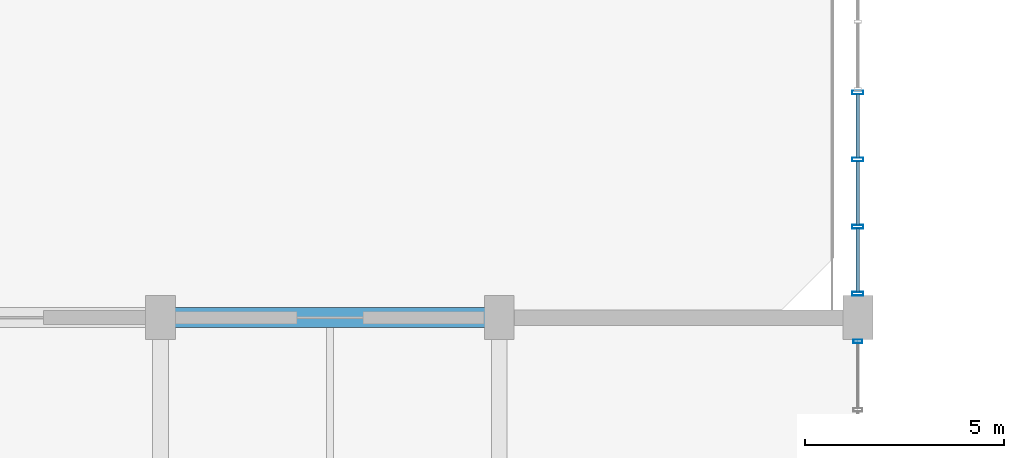
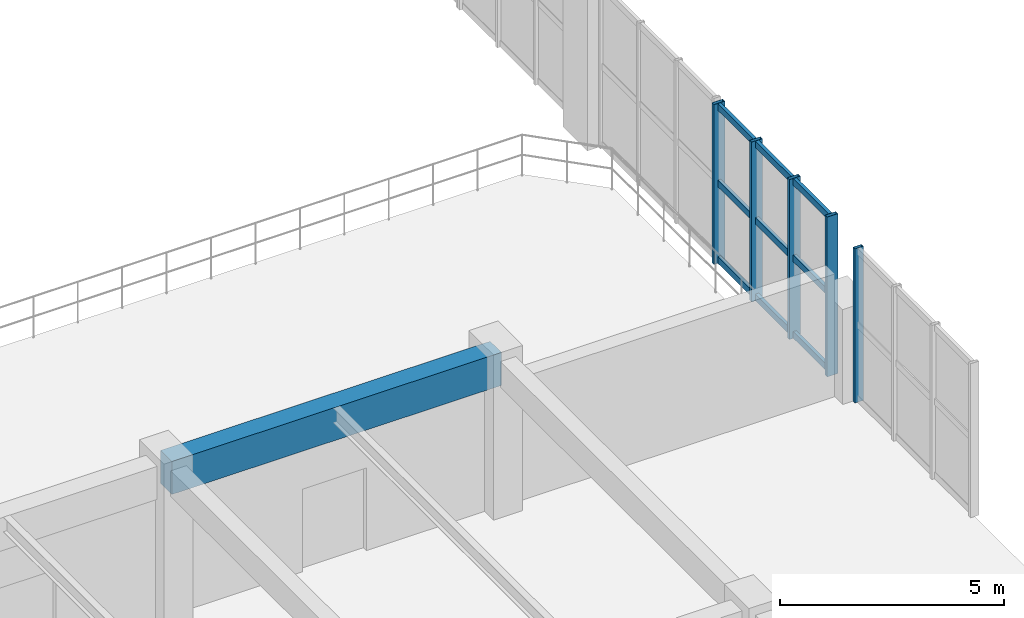
# One storey, part 33 of 80: 14 members, 1 beam, 2 elements without a shape of their own.
"""IFC4 building model written with IfcOpenShell, lengths in metres."""

from ifc_helpers import new_model, si_unit, direction, frame, origin, origin_2d, place, context, subcontext, project, spatial, rectangle, hollow_rectangle, extrude, material, layer, layer_set, material_profile, profile_set, type_object, element, aggregate, save


model = new_model("IFC4")

# Units and contexts
model_context = context("Model", 3, precision=1e-05, world=origin(), true_north=direction((0.0, 1.0)))
body_context = subcontext(model_context, "Body", "Model", "MODEL_VIEW")
ifc_project = project(units=[si_unit("LENGTHUNIT", "METRE"), si_unit("AREAUNIT", "SQUARE_METRE"), si_unit("VOLUMEUNIT", "CUBIC_METRE"), si_unit("PLANEANGLEUNIT", "RADIAN"), si_unit("MASSUNIT", "GRAM", prefix="KILO"), si_unit("POWERUNIT", "WATT"), si_unit("THERMODYNAMICTEMPERATUREUNIT", "KELVIN")], contexts=[model_context])

# Site, building, storey
site_placement = place(None, origin())
site = spatial("IfcSite", under=ifc_project, at=site_placement, CompositionType="ELEMENT")
building_placement = place(site_placement, origin())
building = spatial("IfcBuilding", under=site, at=building_placement, Name="Kelmbourne Parkland Aquatics Centre", CompositionType="ELEMENT")
storey_placement = place(building_placement, frame((0.0, 0.0, 10.199951171875)))
storey = spatial("IfcBuildingStorey", under=building, at=storey_placement, Name="L02", CompositionType="ELEMENT", Elevation=10.199951171875)

# Beam
ifc_material_1 = material(Name="Concrete C40/50", Category="concrete")
ifc_material_profile_1 = material_profile(ifc_material_1, rectangle(XDim=0.5, YDim=0.89990234375, at=origin_2d()), Name="RC 500x900")
ifc_profile_set_1 = profile_set([ifc_material_profile_1], Name="Concrete C40/50")
beam_type = type_object("IfcBeamType", Name="BM-G03", PredefinedType="BEAM", material=ifc_profile_set_1)
beam_placement = place(storey_placement, frame((110.5, 57.800048828125, 3.81005859375), z_axis=(1.0, 0.0, 0.0), x_axis=(0.0, 1.0, 0.0)))
element("IfcBeam", 1, at=beam_placement, inside=storey, type_object=beam_type, Name="Primary girder N-O Grid 08 (L03)", PredefinedType="BEAM", context=body_context, shape_type="SweptSolid", body=[
    extrude(rectangle(XDim=0.5, YDim=0.89990234375, at=origin_2d()), origin(), (0.0, 0.0, 1.0), 8.5),
])

# Curtain wall, member
ifc_material_2 = material(Name="Thermally broken anodised aluminium framing", Category="aluminium")
ifc_layer_1 = layer(ifc_material_2, 0.179931640625)
ifc_layer_set_1 = layer_set([ifc_layer_1], Name="Thermally broken anodised aluminium framing")
curtain_wall_type_1 = type_object("IfcCurtainWallType", Name="CW-20", PredefinedType="NOTDEFINED", material=ifc_layer_set_1)
curtain_wall_1_placement = place(storey_placement, origin())
curtain_wall_1 = element("IfcCurtainWall", 2, at=curtain_wall_1_placement, inside=storey, type_object=curtain_wall_type_1, Name="Facade curtain wall CW-L02-212", PredefinedType="NOTDEFINED")
ifc_material_profile_2 = material_profile(ifc_material_2, hollow_rectangle(XDim=0.0849609375, YDim=0.219970703125, WallThickness=0.0048828125, at=origin_2d()), Name="CW-M 85x220")
ifc_profile_set_2 = profile_set([ifc_material_profile_2], Name="Thermally broken anodised aluminium framing")
member_type_1 = type_object("IfcMemberType", Name="MB-MUL-3", PredefinedType="MULLION", material=ifc_profile_set_2)
member_1_placement = place(storey_placement, frame((128.0, 57.20556640625, 0.0), z_axis=(0.0, 0.0, 1.0), x_axis=(0.0, 1.0, 0.0)))
member_1 = element("IfcMember", 3, at=member_1_placement, type_object=member_type_1, Name="CW-L02-212 mullion 3", PredefinedType="MULLION", context=body_context, shape_type="SweptSolid", body=[
    extrude(hollow_rectangle(XDim=0.0849609375, YDim=0.219970703125, WallThickness=0.0048828125, at=origin_2d()), origin(), (0.0, 0.0, 1.0), 4.199951171875),
])
aggregate(curtain_wall_1, [member_1])

# Curtain wall, members
ifc_layer_2 = layer(ifc_material_2, 0.179931640625)
ifc_layer_set_2 = layer_set([ifc_layer_2], Name="Thermally broken anodised aluminium framing")
curtain_wall_type_2 = type_object("IfcCurtainWallType", Name="CW-05", PredefinedType="NOTDEFINED", material=ifc_layer_set_2)
curtain_wall_2_placement = place(storey_placement, origin())
curtain_wall_2 = element("IfcCurtainWall", 4, at=curtain_wall_2_placement, inside=storey, type_object=curtain_wall_type_2, Name="Wave-hall clerestory curtain wall CW-L02-053", PredefinedType="NOTDEFINED")
ifc_material_profile_3 = material_profile(ifc_material_2, hollow_rectangle(XDim=0.094970703125, YDim=0.280029296875, WallThickness=0.005615234375, at=origin_2d()), Name="CW-M 95x280")
ifc_profile_set_3 = profile_set([ifc_material_profile_3], Name="Thermally broken anodised aluminium framing")
member_type_2 = type_object("IfcMemberType", Name="MB-MUL-4", PredefinedType="MULLION", material=ifc_profile_set_3)
member_2_placement = place(storey_placement, frame((128.0, 58.3994140625, 0.0), z_axis=(0.0, 0.0, 1.0), x_axis=(0.0, 1.0, 0.0)))
member_2 = element("IfcMember", 5, at=member_2_placement, type_object=member_type_2, Name="CW-L02-053 mullion 0", PredefinedType="MULLION", context=body_context, shape_type="SweptSolid", body=[
    extrude(hollow_rectangle(XDim=0.094970703125, YDim=0.280029296875, WallThickness=0.005615234375, at=origin_2d()), origin(), (0.0, 0.0, 1.0), 4.3564453125),
])
member_3_placement = place(storey_placement, frame((128.0, 60.083740234375, 0.0), z_axis=(0.0, 0.0, 1.0), x_axis=(0.0, 1.0, 0.0)))
member_3 = element("IfcMember", 6, at=member_3_placement, type_object=member_type_2, Name="CW-L02-053 mullion 1", PredefinedType="MULLION", context=body_context, shape_type="SweptSolid", body=[
    extrude(hollow_rectangle(XDim=0.094970703125, YDim=0.280029296875, WallThickness=0.005615234375, at=origin_2d()), origin(), (0.0, 0.0, 1.0), 4.3564453125),
])
member_4_placement = place(storey_placement, frame((128.0, 61.768310546875, 0.0), z_axis=(0.0, 0.0, 1.0), x_axis=(0.0, 1.0, 0.0)))
member_4 = element("IfcMember", 7, at=member_4_placement, type_object=member_type_2, Name="CW-L02-053 mullion 2", PredefinedType="MULLION", context=body_context, shape_type="SweptSolid", body=[
    extrude(hollow_rectangle(XDim=0.094970703125, YDim=0.280029296875, WallThickness=0.005615234375, at=origin_2d()), origin(), (0.0, 0.0, 1.0), 4.3564453125),
])
member_5_placement = place(storey_placement, frame((128.0, 63.452392578125, 0.0), z_axis=(0.0, 0.0, 1.0), x_axis=(0.0, 1.0, 0.0)))
member_5 = element("IfcMember", 8, at=member_5_placement, type_object=member_type_2, Name="CW-L02-053 mullion 3", PredefinedType="MULLION", context=body_context, shape_type="SweptSolid", body=[
    extrude(hollow_rectangle(XDim=0.094970703125, YDim=0.280029296875, WallThickness=0.005615234375, at=origin_2d()), origin(), (0.0, 0.0, 1.0), 4.3564453125),
])
ifc_material_profile_4 = material_profile(ifc_material_2, hollow_rectangle(XDim=0.0849609375, YDim=0.179931640625, WallThickness=0.00439453125, at=origin_2d()), Name="CW-T 85x180")
ifc_profile_set_4 = profile_set([ifc_material_profile_4], Name="Thermally broken anodised aluminium framing")
member_type_3 = type_object("IfcMemberType", Name="MB-TRN-3", PredefinedType="USERDEFINED", material=ifc_profile_set_4)
member_6_placement = place(storey_placement, frame((128.0, 58.443115234375, 0.093017578125), z_axis=(0.0, 1.0, 0.0), x_axis=(-1.0, 0.0, 0.0)))
member_6 = element("IfcMember", 9, at=member_6_placement, type_object=member_type_3, Name="CW-L02-053 transom 0-0", ObjectType="TRANSOM", PredefinedType="USERDEFINED", context=body_context, shape_type="SweptSolid", body=[
    extrude(hollow_rectangle(XDim=0.0849609375, YDim=0.179931640625, WallThickness=0.00439453125, at=origin_2d()), origin(), (0.0, 0.0, 1.0), 1.59716796875),
])
member_7_placement = place(storey_placement, frame((128.0, 60.127197265625, 0.093017578125), z_axis=(0.0, 1.0, 0.0), x_axis=(-1.0, 0.0, 0.0)))
member_7 = element("IfcMember", 10, at=member_7_placement, type_object=member_type_3, Name="CW-L02-053 transom 0-1", ObjectType="TRANSOM", PredefinedType="USERDEFINED", context=body_context, shape_type="SweptSolid", body=[
    extrude(hollow_rectangle(XDim=0.0849609375, YDim=0.179931640625, WallThickness=0.00439453125, at=origin_2d()), origin(), (0.0, 0.0, 1.0), 1.597412109375),
])
member_8_placement = place(storey_placement, frame((128.0, 61.811767578125, 0.093017578125), z_axis=(0.0, 1.0, 0.0), x_axis=(-1.0, 0.0, 0.0)))
member_8 = element("IfcMember", 11, at=member_8_placement, type_object=member_type_3, Name="CW-L02-053 transom 0-2", ObjectType="TRANSOM", PredefinedType="USERDEFINED", context=body_context, shape_type="SweptSolid", body=[
    extrude(hollow_rectangle(XDim=0.0849609375, YDim=0.179931640625, WallThickness=0.00439453125, at=origin_2d()), origin(), (0.0, 0.0, 1.0), 1.59716796875),
])
member_9_placement = place(storey_placement, frame((128.0, 58.443115234375, 2.17822265625), z_axis=(0.0, 1.0, 0.0), x_axis=(-1.0, 0.0, 0.0)))
member_9 = element("IfcMember", 12, at=member_9_placement, type_object=member_type_3, Name="CW-L02-053 transom 1-0", ObjectType="TRANSOM", PredefinedType="USERDEFINED", context=body_context, shape_type="SweptSolid", body=[
    extrude(hollow_rectangle(XDim=0.0849609375, YDim=0.179931640625, WallThickness=0.00439453125, at=origin_2d()), origin(), (0.0, 0.0, 1.0), 1.59716796875),
])
member_10_placement = place(storey_placement, frame((128.0, 60.127197265625, 2.17822265625), z_axis=(0.0, 1.0, 0.0), x_axis=(-1.0, 0.0, 0.0)))
member_10 = element("IfcMember", 13, at=member_10_placement, type_object=member_type_3, Name="CW-L02-053 transom 1-1", ObjectType="TRANSOM", PredefinedType="USERDEFINED", context=body_context, shape_type="SweptSolid", body=[
    extrude(hollow_rectangle(XDim=0.0849609375, YDim=0.179931640625, WallThickness=0.00439453125, at=origin_2d()), origin(), (0.0, 0.0, 1.0), 1.597412109375),
])
member_11_placement = place(storey_placement, frame((128.0, 61.811767578125, 2.17822265625), z_axis=(0.0, 1.0, 0.0), x_axis=(-1.0, 0.0, 0.0)))
member_11 = element("IfcMember", 14, at=member_11_placement, type_object=member_type_3, Name="CW-L02-053 transom 1-2", ObjectType="TRANSOM", PredefinedType="USERDEFINED", context=body_context, shape_type="SweptSolid", body=[
    extrude(hollow_rectangle(XDim=0.0849609375, YDim=0.179931640625, WallThickness=0.00439453125, at=origin_2d()), origin(), (0.0, 0.0, 1.0), 1.59716796875),
])
member_12_placement = place(storey_placement, frame((128.0, 58.443115234375, 4.263427734375), z_axis=(0.0, 1.0, 0.0), x_axis=(-1.0, 0.0, 0.0)))
member_12 = element("IfcMember", 15, at=member_12_placement, type_object=member_type_3, Name="CW-L02-053 transom 2-0", ObjectType="TRANSOM", PredefinedType="USERDEFINED", context=body_context, shape_type="SweptSolid", body=[
    extrude(hollow_rectangle(XDim=0.0849609375, YDim=0.179931640625, WallThickness=0.00439453125, at=origin_2d()), origin(), (0.0, 0.0, 1.0), 1.59716796875),
])
member_13_placement = place(storey_placement, frame((128.0, 60.127197265625, 4.263427734375), z_axis=(0.0, 1.0, 0.0), x_axis=(-1.0, 0.0, 0.0)))
member_13 = element("IfcMember", 16, at=member_13_placement, type_object=member_type_3, Name="CW-L02-053 transom 2-1", ObjectType="TRANSOM", PredefinedType="USERDEFINED", context=body_context, shape_type="SweptSolid", body=[
    extrude(hollow_rectangle(XDim=0.0849609375, YDim=0.179931640625, WallThickness=0.00439453125, at=origin_2d()), origin(), (0.0, 0.0, 1.0), 1.597412109375),
])
member_14_placement = place(storey_placement, frame((128.0, 61.811767578125, 4.263427734375), z_axis=(0.0, 1.0, 0.0), x_axis=(-1.0, 0.0, 0.0)))
member_14 = element("IfcMember", 17, at=member_14_placement, type_object=member_type_3, Name="CW-L02-053 transom 2-2", ObjectType="TRANSOM", PredefinedType="USERDEFINED", context=body_context, shape_type="SweptSolid", body=[
    extrude(hollow_rectangle(XDim=0.0849609375, YDim=0.179931640625, WallThickness=0.00439453125, at=origin_2d()), origin(), (0.0, 0.0, 1.0), 1.59716796875),
])
aggregate(curtain_wall_2, [member_2, member_3, member_4, member_5, member_6, member_7, member_8, member_9, member_10, member_11, member_12, member_13, member_14])

save(model, "model.ifc")
